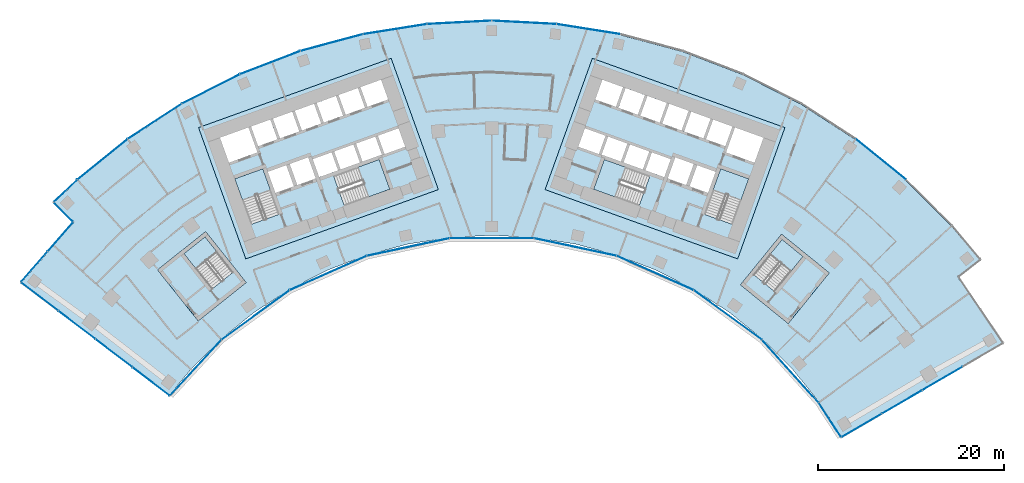
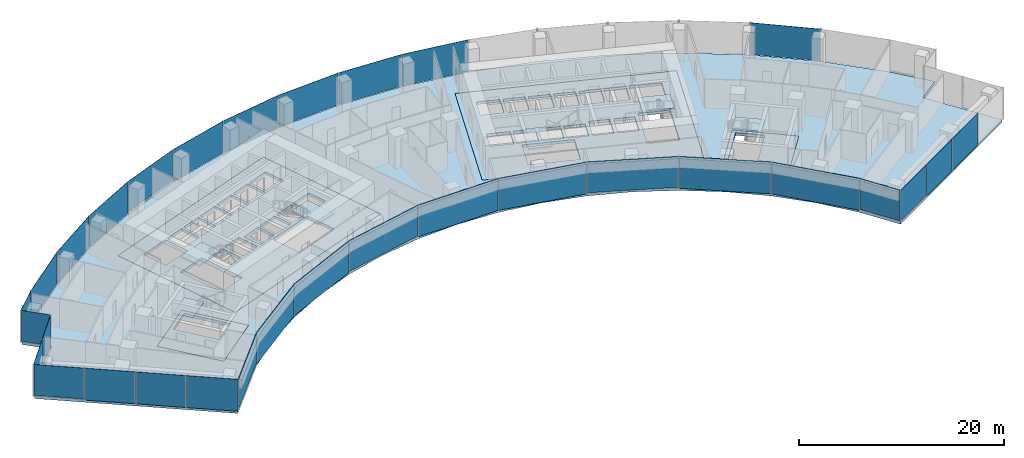
# One storey, part 12 of 21: 31 plates, 11 slabs, 12 elements without a shape of their own.
"""IFC4 building model written with IfcOpenShell, lengths in metres."""

from ifc_helpers import new_model, si_unit, direction, frame, origin, origin_2d, place, context, subcontext, project, spatial, polyline, rectangle, outline, extrude, material, layer, layer_set, type_object, element, aggregate, save


model = new_model("IFC4")

# Units and contexts
model_context = context("Model", 3, precision=1e-05, world=origin(), true_north=direction((0.0, 1.0)))
body_context = subcontext(model_context, "Body", "Model", "MODEL_VIEW")
ifc_project = project(units=[si_unit("LENGTHUNIT", "METRE"), si_unit("AREAUNIT", "SQUARE_METRE"), si_unit("VOLUMEUNIT", "CUBIC_METRE"), si_unit("PLANEANGLEUNIT", "RADIAN"), si_unit("MASSUNIT", "GRAM", prefix="KILO")], contexts=[model_context])

# Site, building, storey
site_placement = place(None, origin())
site = spatial("IfcSite", under=ifc_project, at=site_placement, CompositionType="ELEMENT")
building_placement = place(site_placement, origin())
building = spatial("IfcBuilding", under=site, at=building_placement, Name="Stone Belt Terrace Tower", CompositionType="ELEMENT")
storey_placement = place(building_placement, frame((0.0, 0.0, 94.60009765625)))
storey = spatial("IfcBuildingStorey", under=building, at=storey_placement, Name="L22", CompositionType="ELEMENT", Elevation=94.60009765625)

# Curtain wall, plates
ifc_material_1 = material(Name="Aluminium 6063-T6 anodised frame", Category="aluminium")
ifc_layer_1 = layer(ifc_material_1, 0.14990234375)
ifc_layer_set_1 = layer_set([ifc_layer_1], Name="CW-A unitised convex-face curtain wall")
curtain_wall_type_1 = type_object("IfcCurtainWallType", Name="CW-A unitised convex-face curtain wall", PredefinedType="NOTDEFINED", material=ifc_layer_set_1)
curtain_wall_1_placement = place(storey_placement, origin())
curtain_wall_1 = element("IfcCurtainWall", 1, at=curtain_wall_1_placement, inside=storey, type_object=curtain_wall_type_1, Name="CW-A convex face L22", PredefinedType="NOTDEFINED")
ifc_material_2 = material(Name="Clear double glazed unit")
ifc_layer_2 = layer(ifc_material_2, 0.031982421875)
ifc_layer_set_2 = layer_set([ifc_layer_2], Name="CW-A glass panel 32")
plate_type_1 = type_object("IfcPlateType", Name="CW-A glass panel 32", PredefinedType="CURTAIN_PANEL", material=ifc_layer_set_2)
plate_1_placement = place(storey_placement, frame((41.839599609375, 51.667724609375, 0.0), z_axis=(0.0, 0.0, 1.0), x_axis=(-0.777145961457, 0.62932039105, 0.0)))
plate_1 = element("IfcPlate", 2, at=plate_1_placement, type_object=plate_type_1, Name="CW-A panel 3.1", PredefinedType="CURTAIN_PANEL", context=body_context, shape_type="SweptSolid", body=[
    extrude(rectangle(XDim=6.90087890625, YDim=0.031982421875, at=origin_2d()), origin(), (0.0, 0.0, 1.0), 3.800048828125),
])
plate_2_placement = place(storey_placement, frame((10.400390625, 65.665283203125, 0.0), z_axis=(0.0, 0.0, 1.0), x_axis=(-0.987688340595, 0.15643446504, 0.0)))
plate_2 = element("IfcPlate", 3, at=plate_2_placement, type_object=plate_type_1, Name="CW-A panel 8.1", PredefinedType="CURTAIN_PANEL", context=body_context, shape_type="SweptSolid", body=[
    extrude(rectangle(XDim=6.90087890625, YDim=0.031982421875, at=origin_2d()), origin(), (0.0, 0.0, 1.0), 3.800048828125),
])
plate_3_placement = place(storey_placement, frame((3.4794921875, 66.392822265625, 0.0), z_axis=(0.0, 0.0, 1.0), x_axis=(-0.998629534755, 0.052335956243, 0.0)))
plate_3 = element("IfcPlate", 4, at=plate_3_placement, type_object=plate_type_1, Name="CW-A panel 9.1", PredefinedType="CURTAIN_PANEL", context=body_context, shape_type="SweptSolid", body=[
    extrude(rectangle(XDim=6.90087890625, YDim=0.031982421875, at=origin_2d()), origin(), (0.0, 0.0, 1.0), 3.800048828125),
])
plate_4_placement = place(storey_placement, frame((-3.4794921875, 66.392822265625, 0.0), z_axis=(0.0, 0.0, 1.0), x_axis=(-0.998629534755, -0.052335956243, 0.0)))
plate_4 = element("IfcPlate", 5, at=plate_4_placement, type_object=plate_type_1, Name="CW-A panel 10.1", PredefinedType="CURTAIN_PANEL", context=body_context, shape_type="SweptSolid", body=[
    extrude(rectangle(XDim=6.90087890625, YDim=0.031982421875, at=origin_2d()), origin(), (0.0, 0.0, 1.0), 3.800048828125),
])
plate_5_placement = place(storey_placement, frame((-10.400390625, 65.665283203125, 0.0), z_axis=(0.0, 0.0, 1.0), x_axis=(-0.987688340595, -0.15643446504, 0.0)))
plate_5 = element("IfcPlate", 6, at=plate_5_placement, type_object=plate_type_1, Name="CW-A panel 11.1", PredefinedType="CURTAIN_PANEL", context=body_context, shape_type="SweptSolid", body=[
    extrude(rectangle(XDim=6.90087890625, YDim=0.031982421875, at=origin_2d()), origin(), (0.0, 0.0, 1.0), 3.800048828125),
])
plate_6_placement = place(storey_placement, frame((-17.207275390625, 64.218505859375, 0.0), z_axis=(0.0, 0.0, 1.0), x_axis=(-0.965925826289, -0.258819045103, 0.0)))
plate_6 = element("IfcPlate", 7, at=plate_6_placement, type_object=plate_type_1, Name="CW-A panel 12.1", PredefinedType="CURTAIN_PANEL", context=body_context, shape_type="SweptSolid", body=[
    extrude(rectangle(XDim=6.90087890625, YDim=0.031982421875, at=origin_2d()), origin(), (0.0, 0.0, 1.0), 3.800048828125),
])
plate_7_placement = place(storey_placement, frame((-23.82568359375, 62.068115234375, 0.14013671875), z_axis=(0.0, 0.0, 1.0), x_axis=(-0.933580426497, -0.358367949545, 0.0)))
plate_7 = element("IfcPlate", 8, at=plate_7_placement, type_object=plate_type_1, Name="CW-A panel 13.1", PredefinedType="CURTAIN_PANEL", context=body_context, shape_type="SweptSolid", body=[
    extrude(rectangle(XDim=6.90087890625, YDim=0.031982421875, at=origin_2d()), origin(), (0.0, 0.0, 1.0), 3.659912109375),
])
plate_8_placement = place(storey_placement, frame((-30.18310546875, 59.237548828125, 0.0), z_axis=(0.0, 0.0, 1.0), x_axis=(-0.891006524188, -0.45399049974, 0.0)))
plate_8 = element("IfcPlate", 9, at=plate_8_placement, type_object=plate_type_1, Name="CW-A panel 14.1", PredefinedType="CURTAIN_PANEL", context=body_context, shape_type="SweptSolid", body=[
    extrude(rectangle(XDim=6.90087890625, YDim=0.031982421875, at=origin_2d()), origin(), (0.0, 0.0, 1.0), 3.800048828125),
])
plate_9_placement = place(storey_placement, frame((-36.209716796875, 55.758056640625, 0.0), z_axis=(0.0, 0.0, 1.0), x_axis=(-0.838670567945, -0.544639035015, 0.0)))
plate_9 = element("IfcPlate", 10, at=plate_9_placement, type_object=plate_type_1, Name="CW-A panel 15.1", PredefinedType="CURTAIN_PANEL", context=body_context, shape_type="SweptSolid", body=[
    extrude(rectangle(XDim=6.90087890625, YDim=0.031982421875, at=origin_2d()), origin(), (0.0, 0.0, 1.0), 3.800048828125),
])
plate_10_placement = place(storey_placement, frame((-41.839599609375, 51.667724609375, 0.0), z_axis=(0.0, 0.0, 1.0), x_axis=(-0.777145961457, -0.62932039105, 0.0)))
plate_10 = element("IfcPlate", 11, at=plate_10_placement, type_object=plate_type_1, Name="CW-A panel 16.1", PredefinedType="CURTAIN_PANEL", context=body_context, shape_type="SweptSolid", body=[
    extrude(rectangle(XDim=6.900634765625, YDim=0.031982421875, at=origin_2d()), origin(), (0.0, 0.0, 1.0), 3.800048828125),
])
plate_11_placement = place(storey_placement, frame((-45.805908203125, 48.281494140625, 0.0), z_axis=(0.0, 0.0, 1.0), x_axis=(-0.725627811581, -0.688087406556, 0.0)))
plate_11 = element("IfcPlate", 12, at=plate_11_placement, type_object=plate_type_1, Name="CW-A panel 17.1", PredefinedType="CURTAIN_PANEL", context=body_context, shape_type="SweptSolid", body=[
    extrude(rectangle(XDim=3.405029296875, YDim=0.031982421875, at=origin_2d()), origin(), (0.0, 0.0, 1.0), 3.800048828125),
])
aggregate(curtain_wall_1, [plate_1, plate_2, plate_3, plate_4, plate_5, plate_6, plate_7, plate_8, plate_9, plate_10, plate_11])

ifc_layer_3 = layer(ifc_material_1, 0.14990234375)
ifc_layer_set_3 = layer_set([ifc_layer_3], Name="CW-B unitised concave-face curtain wall")
curtain_wall_type_2 = type_object("IfcCurtainWallType", Name="CW-B unitised concave-face curtain wall", PredefinedType="NOTDEFINED", material=ifc_layer_set_3)
curtain_wall_2_placement = place(storey_placement, origin())
curtain_wall_2 = element("IfcCurtainWall", 13, at=curtain_wall_2_placement, inside=storey, type_object=curtain_wall_type_2, Name="CW-B concave face L22", PredefinedType="NOTDEFINED")
ifc_layer_4 = layer(ifc_material_2, 0.030029296875)
ifc_layer_set_4 = layer_set([ifc_layer_4], Name="CW-B glass panel 30")
plate_type_2 = type_object("IfcPlateType", Name="CW-B glass panel 30", PredefinedType="CURTAIN_PANEL", material=ifc_layer_set_4)
plate_12_placement = place(storey_placement, frame((-31.81591796875, 29.27490234375, 0.1201171875), z_axis=(0.0, 0.0, 1.0), x_axis=(0.677440300006, 0.735577759266, 0.0)))
plate_12 = element("IfcPlate", 14, at=plate_12_placement, type_object=plate_type_2, Name="CW-B panel 1.1", PredefinedType="CURTAIN_PANEL", context=body_context, shape_type="SweptSolid", body=[
    extrude(rectangle(XDim=8.08056640625, YDim=0.030029296875, at=origin_2d()), origin(), (0.0, 0.0, 1.0), 3.679931640625),
])
plate_13_placement = place(storey_placement, frame((-25.384765625, 34.9384765625, 0.0), z_axis=(0.0, 0.0, 1.0), x_axis=(0.809016994375, 0.587785252292, 0.0)))
plate_13 = element("IfcPlate", 15, at=plate_13_placement, type_object=plate_type_2, Name="CW-B panel 2.1", PredefinedType="CURTAIN_PANEL", context=body_context, shape_type="SweptSolid", body=[
    extrude(rectangle(XDim=9.013671875, YDim=0.030029296875, at=origin_2d()), origin(), (0.0, 0.0, 1.0), 3.800048828125),
])
plate_14_placement = place(storey_placement, frame((-17.565673828125, 39.453125, 0.0), z_axis=(0.0, 0.0, 1.0), x_axis=(0.913545457643, 0.406736643076, 0.0)))
plate_14 = element("IfcPlate", 16, at=plate_14_placement, type_object=plate_type_2, Name="CW-B panel 3.1", PredefinedType="CURTAIN_PANEL", context=body_context, shape_type="SweptSolid", body=[
    extrude(rectangle(XDim=9.0126953125, YDim=0.030029296875, at=origin_2d()), origin(), (0.0, 0.0, 1.0), 3.800048828125),
])
plate_15_placement = place(storey_placement, frame((-8.97900390625, 42.242919921875, 0.1201171875), z_axis=(0.0, 0.0, 1.0), x_axis=(0.978147600734, 0.207911690818, 0.0)))
plate_15 = element("IfcPlate", 17, at=plate_15_placement, type_object=plate_type_2, Name="CW-B panel 4.1", PredefinedType="CURTAIN_PANEL", context=body_context, shape_type="SweptSolid", body=[
    extrude(rectangle(XDim=9.0126953125, YDim=0.030029296875, at=origin_2d()), origin(), (0.0, 0.0, 1.0), 3.679931640625),
])
plate_16_placement = place(storey_placement, frame((0.0, 43.186767578125, 0.0), z_axis=(0.0, 0.0, 1.0), x_axis=(1.0, 0.0, 0.0)))
plate_16 = element("IfcPlate", 18, at=plate_16_placement, type_object=plate_type_2, Name="CW-B panel 5.1", PredefinedType="CURTAIN_PANEL", context=body_context, shape_type="SweptSolid", body=[
    extrude(rectangle(XDim=9.0126953125, YDim=0.030029296875, at=origin_2d()), origin(), (0.0, 0.0, 1.0), 3.800048828125),
])
plate_17_placement = place(storey_placement, frame((8.97900390625, 42.242919921875, 0.0), z_axis=(0.0, 0.0, 1.0), x_axis=(0.978147600734, -0.207911690818, 0.0)))
plate_17 = element("IfcPlate", 19, at=plate_17_placement, type_object=plate_type_2, Name="CW-B panel 6.1", PredefinedType="CURTAIN_PANEL", context=body_context, shape_type="SweptSolid", body=[
    extrude(rectangle(XDim=9.0126953125, YDim=0.030029296875, at=origin_2d()), origin(), (0.0, 0.0, 1.0), 3.800048828125),
])
plate_18_placement = place(storey_placement, frame((17.565673828125, 39.453125, 0.1201171875), z_axis=(0.0, 0.0, 1.0), x_axis=(0.913545457643, -0.406736643076, 0.0)))
plate_18 = element("IfcPlate", 20, at=plate_18_placement, type_object=plate_type_2, Name="CW-B panel 7.1", PredefinedType="CURTAIN_PANEL", context=body_context, shape_type="SweptSolid", body=[
    extrude(rectangle(XDim=9.0126953125, YDim=0.030029296875, at=origin_2d()), origin(), (0.0, 0.0, 1.0), 3.679931640625),
])
plate_19_placement = place(storey_placement, frame((25.384521484375, 34.938720703125, 0.0), z_axis=(0.0, 0.0, 1.0), x_axis=(0.809016994375, -0.587785252292, 0.0)))
plate_19 = element("IfcPlate", 21, at=plate_19_placement, type_object=plate_type_2, Name="CW-B panel 8.1", PredefinedType="CURTAIN_PANEL", context=body_context, shape_type="SweptSolid", body=[
    extrude(rectangle(XDim=9.0126953125, YDim=0.030029296875, at=origin_2d()), origin(), (0.0, 0.0, 1.0), 3.800048828125),
])
plate_20_placement = place(storey_placement, frame((32.09521484375, 28.89599609375, 0.0), z_axis=(0.0, 0.0, 1.0), x_axis=(0.669130606359, -0.743144825477, 0.0)))
plate_20 = element("IfcPlate", 22, at=plate_20_placement, type_object=plate_type_2, Name="CW-B panel 9.1", PredefinedType="CURTAIN_PANEL", context=body_context, shape_type="SweptSolid", body=[
    extrude(rectangle(XDim=9.016845703125, YDim=0.030029296875, at=origin_2d()), origin(), (0.0, 0.0, 1.0), 3.800048828125),
])
plate_21_placement = place(storey_placement, frame((36.3408203125, 23.66943359375, 0.1201171875), z_axis=(0.0, 0.0, 1.0), x_axis=(0.546131502436, -0.837699458068, 0.0)))
plate_21 = element("IfcPlate", 23, at=plate_21_placement, type_object=plate_type_2, Name="CW-B panel 10.1", PredefinedType="CURTAIN_PANEL", context=body_context, shape_type="SweptSolid", body=[
    extrude(rectangle(XDim=4.363525390625, YDim=0.030029296875, at=origin_2d()), origin(), (0.0, 0.0, 1.0), 3.679931640625),
])
aggregate(curtain_wall_2, [plate_12, plate_13, plate_14, plate_15, plate_16, plate_17, plate_18, plate_19, plate_20, plate_21])

ifc_layer_5 = layer(ifc_material_1, 0.14990234375)
ifc_layer_set_5 = layer_set([ifc_layer_5], Name="CW-C stick curtain wall, horn ends and notches")
curtain_wall_type_3 = type_object("IfcCurtainWallType", Name="CW-C stick curtain wall, horn ends and notches", PredefinedType="NOTDEFINED", material=ifc_layer_set_5)
curtain_wall_3_placement = place(storey_placement, origin())
curtain_wall_3 = element("IfcCurtainWall", 24, at=curtain_wall_3_placement, inside=storey, type_object=curtain_wall_type_3, Name="CW-C end face L22", PredefinedType="NOTDEFINED")
ifc_layer_6 = layer(ifc_material_2, 0.028076171875)
ifc_layer_set_6 = layer_set([ifc_layer_6], Name="CW-C glass panel 28")
plate_type_3 = type_object("IfcPlateType", Name="CW-C glass panel 28", PredefinedType="CURTAIN_PANEL", material=ifc_layer_set_6)
plate_22_placement = place(storey_placement, frame((39.78076171875, 23.06982421875, 0.1201171875), z_axis=(0.0, 0.0, 1.0), x_axis=(0.864239322284, 0.503080901861, 0.0)))
plate_22 = element("IfcPlate", 25, at=plate_22_placement, type_object=plate_type_3, Name="CW-C panel 1.1", PredefinedType="CURTAIN_PANEL", context=body_context, shape_type="SweptSolid", body=[
    extrude(rectangle(XDim=4.9677734375, YDim=0.028076171875, at=origin_2d()), origin(), (0.0, 0.0, 1.0), 3.679931640625),
])
plate_23_placement = place(storey_placement, frame((44.114013671875, 25.59228515625, 0.0), z_axis=(0.0, 0.0, 1.0), x_axis=(0.864239322284, 0.503080901861, 0.0)))
plate_23 = element("IfcPlate", 26, at=plate_23_placement, type_object=plate_type_3, Name="CW-C panel 2.1", PredefinedType="CURTAIN_PANEL", context=body_context, shape_type="SweptSolid", body=[
    extrude(rectangle(XDim=4.93994140625, YDim=0.028076171875, at=origin_2d()), origin(), (0.0, 0.0, 1.0), 3.800048828125),
])
plate_24_placement = place(storey_placement, frame((48.43505859375, 28.107666015625, 0.0), z_axis=(0.0, 0.0, 1.0), x_axis=(0.864239322284, 0.503080901861, 0.0)))
plate_24 = element("IfcPlate", 27, at=plate_24_placement, type_object=plate_type_3, Name="CW-C panel 3.1", PredefinedType="CURTAIN_PANEL", context=body_context, shape_type="SweptSolid", body=[
    extrude(rectangle(XDim=4.93994140625, YDim=0.028076171875, at=origin_2d()), origin(), (0.0, 0.0, 1.0), 3.800048828125),
])
aggregate(curtain_wall_3, [plate_22, plate_23, plate_24])

# Curtain wall, plate
curtain_wall_4_placement = place(storey_placement, origin())
curtain_wall_4 = element("IfcCurtainWall", 28, at=curtain_wall_4_placement, inside=storey, type_object=curtain_wall_type_3, Name="CW-C notch face L22", PredefinedType="NOTDEFINED")
plate_25_placement = place(storey_placement, frame((-46.032470703125, 45.994384765625, 0.1201171875), z_axis=(0.0, 0.0, 1.0), x_axis=(0.70658579876, -0.707627380046, 0.0)))
plate_25 = element("IfcPlate", 29, at=plate_25_placement, type_object=plate_type_3, Name="CW-C panel 1.1", PredefinedType="CURTAIN_PANEL", context=body_context, shape_type="SweptSolid", body=[
    extrude(rectangle(XDim=2.859130859375, YDim=0.028076171875, at=origin_2d()), origin(), (0.0, 0.0, 1.0), 3.679931640625),
])
aggregate(curtain_wall_4, [plate_25])

# Curtain wall, plates
curtain_wall_5_placement = place(storey_placement, origin())
curtain_wall_5 = element("IfcCurtainWall", 30, at=curtain_wall_5_placement, inside=storey, type_object=curtain_wall_type_3, Name="CW-C notch face L22", PredefinedType="NOTDEFINED")
plate_26_placement = place(storey_placement, frame((-46.375, 43.324951171875, 0.1201171875), z_axis=(0.0, 0.0, 1.0), x_axis=(-0.658230250003, -0.752816669569, 0.0)))
plate_26 = element("IfcPlate", 31, at=plate_26_placement, type_object=plate_type_3, Name="CW-C panel 1.1", PredefinedType="CURTAIN_PANEL", context=body_context, shape_type="SweptSolid", body=[
    extrude(rectangle(XDim=4.12060546875, YDim=0.028076171875, at=origin_2d()), origin(), (0.0, 0.0, 1.0), 3.679931640625),
])
plate_27_placement = place(storey_placement, frame((-49.175537109375, 40.1220703125, 0.0), z_axis=(0.0, 0.0, 1.0), x_axis=(-0.658230250003, -0.752816669569, 0.0)))
plate_27 = element("IfcPlate", 32, at=plate_27_placement, type_object=plate_type_3, Name="CW-C panel 2.1", PredefinedType="CURTAIN_PANEL", context=body_context, shape_type="SweptSolid", body=[
    extrude(rectangle(XDim=4.268798828125, YDim=0.028076171875, at=origin_2d()), origin(), (0.0, 0.0, 1.0), 3.800048828125),
])
aggregate(curtain_wall_5, [plate_26, plate_27])

curtain_wall_6_placement = place(storey_placement, origin())
curtain_wall_6 = element("IfcCurtainWall", 33, at=curtain_wall_6_placement, inside=storey, type_object=curtain_wall_type_3, Name="CW-C end face L22", PredefinedType="NOTDEFINED")
plate_28_placement = place(storey_placement, frame((-48.591064453125, 36.906005859375, 0.1201171875), z_axis=(0.0, 0.0, 1.0), x_axis=(0.795601620036, -0.605820156644, 0.0)))
plate_28 = element("IfcPlate", 34, at=plate_28_placement, type_object=plate_type_3, Name="CW-C panel 1.1", PredefinedType="CURTAIN_PANEL", context=body_context, shape_type="SweptSolid", body=[
    extrude(rectangle(XDim=4.974853515625, YDim=0.028076171875, at=origin_2d()), origin(), (0.0, 0.0, 1.0), 3.679931640625),
])
plate_29_placement = place(storey_placement, frame((-44.59912109375, 33.8662109375, 0.0), z_axis=(0.0, 0.0, 1.0), x_axis=(0.795601620036, -0.605820156644, 0.0)))
plate_29 = element("IfcPlate", 35, at=plate_29_placement, type_object=plate_type_3, Name="CW-C panel 2.1", PredefinedType="CURTAIN_PANEL", context=body_context, shape_type="SweptSolid", body=[
    extrude(rectangle(XDim=4.93994140625, YDim=0.028076171875, at=origin_2d()), origin(), (0.0, 0.0, 1.0), 3.800048828125),
])
plate_30_placement = place(storey_placement, frame((-40.62109375, 30.837158203125, 0.0), z_axis=(0.0, 0.0, 1.0), x_axis=(0.795601620036, -0.605820156644, 0.0)))
plate_30 = element("IfcPlate", 36, at=plate_30_placement, type_object=plate_type_3, Name="CW-C panel 3.1", PredefinedType="CURTAIN_PANEL", context=body_context, shape_type="SweptSolid", body=[
    extrude(rectangle(XDim=4.93994140625, YDim=0.028076171875, at=origin_2d()), origin(), (0.0, 0.0, 1.0), 3.800048828125),
])
plate_31_placement = place(storey_placement, frame((-36.6328125, 27.80029296875, 0.0), z_axis=(0.0, 0.0, 1.0), x_axis=(0.795601620036, -0.605820156644, 0.0)))
plate_31 = element("IfcPlate", 37, at=plate_31_placement, type_object=plate_type_3, Name="CW-C panel 4.1", PredefinedType="CURTAIN_PANEL", context=body_context, shape_type="SweptSolid", body=[
    extrude(rectangle(XDim=4.965576171875, YDim=0.028076171875, at=origin_2d()), origin(), (0.0, 0.0, 1.0), 3.800048828125),
])
aggregate(curtain_wall_6, [plate_28, plate_29, plate_30, plate_31])

# Slabs
ifc_material_3 = material(Name="Concrete B40", Category="concrete")
ifc_layer_7 = layer(ifc_material_3, 0.320068359375)
ifc_layer_set_7 = layer_set([ifc_layer_7], Name="Core floor slab 320")
slab_type_1 = type_object("IfcSlabType", Name="Core floor slab 320", PredefinedType="FLOOR", material=ifc_layer_set_7)
slab_1_placement = place(storey_placement, frame((0.0, 0.0, -0.320068359375)))
element("IfcSlab", 38, at=slab_1_placement, inside=storey, type_object=slab_type_1, Name="Core A floor L22", PredefinedType="FLOOR", context=body_context, shape_type="SweptSolid", body=[
    extrude(outline(polyline([(-26.43505859375, 40.968994140625), (-5.735107421875, 48.4189453125), (-10.81396484375, 62.531982421875), (-31.513916015625, 55.0830078125), (-26.43505859375, 40.968994140625)]), holes=[polyline([(-24.60791015625, 50.659912109375), (-22.847900390625, 45.76806640625), (-25.85888671875, 44.68408203125), (-27.618896484375, 49.575927734375), (-24.60791015625, 50.659912109375)]), polyline([(-21.27392578125, 48.778076171875), (-23.25, 48.06689453125), (-24.06298828125, 50.324951171875), (-22.0869140625, 51.035888671875), (-21.27392578125, 48.778076171875)]), polyline([(-18.922119140625, 49.6240234375), (-20.89794921875, 48.9130859375), (-21.7109375, 51.1708984375), (-19.735107421875, 51.883056640625), (-18.922119140625, 49.6240234375)]), polyline([(-19.239990234375, 51.68896484375), (-17.217041015625, 52.4169921875), (-16.52294921875, 50.488037109375), (-18.5458984375, 49.760009765625), (-19.239990234375, 51.68896484375)]), polyline([(-29.2109375, 53.9990234375), (-26.153076171875, 55.09912109375), (-25.18798828125, 52.41796875), (-28.24609375, 51.31689453125), (-29.2109375, 53.9990234375)]), polyline([(-23.801025390625, 55.946044921875), (-23.0390625, 53.8291015625), (-25.10888671875, 53.083984375), (-25.87109375, 55.200927734375), (-23.801025390625, 55.946044921875)]), polyline([(-21.447998046875, 56.7919921875), (-20.68603515625, 54.675048828125), (-22.756103515625, 53.929931640625), (-23.51806640625, 56.047119140625), (-21.447998046875, 56.7919921875)]), polyline([(-19.095947265625, 57.638916015625), (-18.333984375, 55.52197265625), (-20.404052734375, 54.777099609375), (-21.166015625, 56.89404296875), (-19.095947265625, 57.638916015625)]), polyline([(-15.846923828125, 46.69189453125), (-16.998046875, 49.89208984375), (-12.10595703125, 51.652099609375), (-10.955078125, 48.452880859375), (-15.846923828125, 46.69189453125)]), polyline([(-16.239990234375, 50.589111328125), (-16.93408203125, 52.51806640625), (-14.864013671875, 53.262939453125), (-14.169921875, 51.333984375), (-16.239990234375, 50.589111328125)]), polyline([(-11.801025390625, 52.134033203125), (-11.847900390625, 52.116943359375), (-11.864990234375, 52.1640625), (-13.887939453125, 51.43603515625), (-14.58203125, 53.364990234375), (-12.511962890625, 54.110107421875), (-11.801025390625, 52.134033203125)]), polyline([(-9.30810546875, 53.031005859375), (-11.51904296875, 52.235107421875), (-12.22998046875, 54.2109375), (-10.01904296875, 55.007080078125), (-9.30810546875, 53.031005859375)]), polyline([(-16.743896484375, 58.485107421875), (-15.98193359375, 56.367919921875), (-18.052001953125, 55.623046875), (-18.81396484375, 57.739990234375), (-16.743896484375, 58.485107421875)]), polyline([(-14.39111328125, 59.33203125), (-13.6298828125, 57.215087890625), (-15.699951171875, 56.469970703125), (-16.4609375, 58.5869140625), (-14.39111328125, 59.33203125)]), polyline([(-11.89794921875, 60.22900390625), (-11.135986328125, 58.112060546875), (-13.346923828125, 57.31591796875), (-14.10888671875, 59.43408203125), (-11.89794921875, 60.22900390625)])]), origin(), (0.0, 0.0, 1.0), 0.320068359375),
])
slab_2_placement = place(storey_placement, frame((0.0, 0.0, -0.320068359375)))
element("IfcSlab", 39, at=slab_2_placement, inside=storey, type_object=slab_type_1, Name="Core B floor L22", PredefinedType="FLOOR", context=body_context, shape_type="SweptSolid", body=[
    extrude(outline(polyline([(26.43505859375, 40.968994140625), (31.513916015625, 55.0830078125), (10.81396484375, 62.531982421875), (5.735107421875, 48.4189453125), (26.43505859375, 40.968994140625)]), holes=[polyline([(12.10595703125, 51.652099609375), (16.998046875, 49.89208984375), (15.846923828125, 46.69189453125), (10.955078125, 48.452880859375), (12.10595703125, 51.652099609375)]), polyline([(19.239990234375, 51.68896484375), (18.5458984375, 49.760009765625), (16.52294921875, 50.488037109375), (17.217041015625, 52.4169921875), (19.239990234375, 51.68896484375)]), polyline([(16.239990234375, 50.589111328125), (14.169921875, 51.333984375), (14.864013671875, 53.262939453125), (16.93408203125, 52.51806640625), (16.239990234375, 50.589111328125)]), polyline([(14.58203125, 53.364990234375), (13.887939453125, 51.43603515625), (11.864990234375, 52.1640625), (11.847900390625, 52.116943359375), (11.801025390625, 52.134033203125), (12.511962890625, 54.110107421875), (14.58203125, 53.364990234375)]), polyline([(9.30810546875, 53.031005859375), (10.01904296875, 55.007080078125), (12.22998046875, 54.2109375), (11.51904296875, 52.235107421875), (9.30810546875, 53.031005859375)]), polyline([(16.743896484375, 58.485107421875), (18.81396484375, 57.739990234375), (18.052001953125, 55.623046875), (15.98193359375, 56.367919921875), (16.743896484375, 58.485107421875)]), polyline([(14.39111328125, 59.33203125), (16.4609375, 58.5869140625), (15.699951171875, 56.469970703125), (13.6298828125, 57.215087890625), (14.39111328125, 59.33203125)]), polyline([(11.89794921875, 60.22900390625), (14.10888671875, 59.43408203125), (13.346923828125, 57.31591796875), (11.135986328125, 58.112060546875), (11.89794921875, 60.22900390625)]), polyline([(25.85888671875, 44.68408203125), (22.847900390625, 45.76806640625), (24.60791015625, 50.659912109375), (27.618896484375, 49.575927734375), (25.85888671875, 44.68408203125)]), polyline([(21.27392578125, 48.778076171875), (22.0869140625, 51.035888671875), (24.06298828125, 50.324951171875), (23.25, 48.06689453125), (21.27392578125, 48.778076171875)]), polyline([(18.922119140625, 49.6240234375), (19.735107421875, 51.883056640625), (21.7109375, 51.1708984375), (20.89794921875, 48.9130859375), (18.922119140625, 49.6240234375)]), polyline([(29.2109375, 53.9990234375), (28.24609375, 51.31689453125), (25.18798828125, 52.41796875), (26.153076171875, 55.09912109375), (29.2109375, 53.9990234375)]), polyline([(23.801025390625, 55.946044921875), (25.87109375, 55.200927734375), (25.10888671875, 53.083984375), (23.0390625, 53.8291015625), (23.801025390625, 55.946044921875)]), polyline([(21.447998046875, 56.7919921875), (23.51806640625, 56.047119140625), (22.756103515625, 53.929931640625), (20.68603515625, 54.675048828125), (21.447998046875, 56.7919921875)]), polyline([(19.095947265625, 57.638916015625), (21.166015625, 56.89404296875), (20.404052734375, 54.777099609375), (18.333984375, 55.52197265625), (19.095947265625, 57.638916015625)])]), origin(), (0.0, 0.0, 1.0), 0.320068359375),
])
slab_3_placement = place(storey_placement, frame((0.0, 0.0, -0.320068359375)))
element("IfcSlab", 40, at=slab_3_placement, inside=storey, type_object=slab_type_1, Name="Exit stair ST3A floor L22", PredefinedType="FLOOR", context=body_context, shape_type="SweptSolid", body=[
    extrude(outline(polyline([(-26.39404296875, 38.425048828125), (-30.756103515625, 43.89990234375), (-35.91796875, 39.787109375), (-31.555908203125, 34.31298828125), (-26.39404296875, 38.425048828125)]), holes=[polyline([(-27.798095703125, 39.544921875), (-30.06591796875, 37.738037109375), (-33.087890625, 41.531005859375), (-30.820068359375, 43.337890625), (-27.798095703125, 39.544921875)])]), origin(), (0.0, 0.0, 1.0), 0.320068359375),
])
slab_4_placement = place(storey_placement, frame((0.0, 0.0, -0.320068359375)))
element("IfcSlab", 41, at=slab_4_placement, inside=storey, type_object=slab_type_1, Name="Exit stair ST3B floor L22", PredefinedType="FLOOR", context=body_context, shape_type="SweptSolid", body=[
    extrude(outline(polyline([(26.741943359375, 38.18408203125), (31.866943359375, 34.02392578125), (36.278076171875, 39.458984375), (31.154052734375, 43.618896484375), (26.741943359375, 38.18408203125)]), holes=[polyline([(30.407958984375, 37.462890625), (28.156005859375, 39.291015625), (31.2119140625, 43.055908203125), (33.464111328125, 41.22802734375), (30.407958984375, 37.462890625)])]), origin(), (0.0, 0.0, 1.0), 0.320068359375),
])
ifc_layer_8 = layer(ifc_material_3, 0.320068359375)
ifc_layer_set_8 = layer_set([ifc_layer_8], Name="Floor slab 320 B40")
slab_type_2 = type_object("IfcSlabType", Name="Floor slab 320 B40", PredefinedType="FLOOR", material=ifc_layer_set_8)
slab_5_placement = place(storey_placement, frame((0.0, 0.0, -0.320068359375)))
element("IfcSlab", 42, at=slab_5_placement, inside=storey, type_object=slab_type_2, Name="Floor slab L22", PredefinedType="FLOOR", context=body_context, shape_type="SweptSolid", body=[
    extrude(outline(polyline([(-44.497314453125, 49.419189453125), (-39.087646484375, 53.799560546875), (-33.25, 57.5908203125), (-27.048095703125, 60.750732421875), (-20.549560546875, 63.245361328125), (-13.826171875, 65.046875), (-6.951171875, 66.1357421875), (0.0, 66.5), (6.951171875, 66.1357421875), (13.826171875, 65.046875), (20.549560546875, 63.245361328125), (27.048095703125, 60.750732421875), (33.25, 57.5908203125), (39.087646484375, 53.799560546875), (44.497314453125, 49.419189453125), (49.419189453125, 44.497314453125), (52.4326171875, 40.9033203125), (50.067138671875, 39.05810546875), (54.879150390625, 31.945556640625), (37.594482421875, 21.884033203125), (35.192138671875, 25.568603515625), (32.326904296875, 29.107177734375), (29.107177734375, 32.326904296875), (25.568603515625, 35.192138671875), (21.75, 37.672119140625), (17.693115234375, 39.7392578125), (13.442138671875, 41.37109375), (9.044189453125, 42.54931640625), (4.547119140625, 43.26171875), (0.0, 43.5), (-4.547119140625, 43.26171875), (-9.044189453125, 42.54931640625), (-13.442138671875, 41.37109375), (-17.693115234375, 39.7392578125), (-21.75, 37.672119140625), (-25.568603515625, 35.192138671875), (-29.107177734375, 32.326904296875), (-32.326904296875, 29.107177734375), (-34.608642578125, 26.353271484375), (-50.520751953125, 38.469482421875), (-44.8681640625, 44.934326171875), (-46.988037109375, 47.05712890625), (-44.497314453125, 49.419189453125)]), holes=[polyline([(-26.434814453125, 40.968994140625), (-5.734619140625, 48.418701171875), (-10.81396484375, 62.532470703125), (-31.51416015625, 55.082763671875), (-26.434814453125, 40.968994140625)]), polyline([(10.81396484375, 62.532470703125), (5.734619140625, 48.418701171875), (26.434814453125, 40.968994140625), (31.51416015625, 55.082763671875), (10.81396484375, 62.532470703125)]), polyline([(-35.91796875, 39.787353515625), (-31.55615234375, 34.3125), (-26.39404296875, 38.425048828125), (-30.756103515625, 43.89990234375), (-35.91796875, 39.787353515625)]), polyline([(36.2783203125, 39.459228515625), (31.15380859375, 43.61865234375), (26.742431640625, 38.18359375), (31.86669921875, 34.024169921875), (36.2783203125, 39.459228515625)])]), origin(), (0.0, 0.0, 1.0), 0.320068359375),
])

# Stair, slab
stair_type = type_object("IfcStairType", Name="Exit stair 1500", PredefinedType="HALF_TURN_STAIR", material=ifc_material_3)
stair_1_placement = place(storey_placement, origin())
stair_1 = element("IfcStair", 43, at=stair_1_placement, inside=storey, type_object=stair_type, Name="L22 Exit stair 1 core A", PredefinedType="HALF_TURN_STAIR")
ifc_layer_9 = layer(ifc_material_3, 0.199951171875)
ifc_layer_set_9 = layer_set([ifc_layer_9], Name="Stair landing 200")
slab_type_3 = type_object("IfcSlabType", Name="Stair landing 200", PredefinedType="LANDING", material=ifc_layer_set_9)
slab_6_placement = place(storey_placement, frame((0.0, 0.0, 1.699951171875)))
slab_6 = element("IfcSlab", 44, at=slab_6_placement, type_object=slab_type_3, Name="ST1A landing 1", PredefinedType="LANDING", context=body_context, shape_type="SweptSolid", body=[
    extrude(outline(polyline([(-23.79541015625, 48.40087890625), (-24.6083984375, 50.659912109375), (-27.619384765625, 49.576171875), (-26.806396484375, 47.3173828125), (-23.79541015625, 48.40087890625)])), origin(), (0.0, 0.0, 1.0), 0.199951171875),
])
aggregate(stair_1, [slab_6])

stair_2_placement = place(storey_placement, origin())
stair_2 = element("IfcStair", 45, at=stair_2_placement, inside=storey, type_object=stair_type, Name="L22 Exit stair 2 core A", PredefinedType="HALF_TURN_STAIR")
slab_7_placement = place(storey_placement, frame((0.0, 0.0, 1.699951171875)))
slab_7 = element("IfcSlab", 46, at=slab_7_placement, type_object=slab_type_3, Name="ST2A landing 1", PredefinedType="LANDING", context=body_context, shape_type="SweptSolid", body=[
    extrude(outline(polyline([(-13.213623046875, 47.64013671875), (-10.95458984375, 48.453125), (-12.10595703125, 51.652099609375), (-14.36474609375, 50.839111328125), (-13.213623046875, 47.64013671875)])), origin(), (0.0, 0.0, 1.0), 0.199951171875),
])
aggregate(stair_2, [slab_7])

stair_3_placement = place(storey_placement, origin())
stair_3 = element("IfcStair", 47, at=stair_3_placement, inside=storey, type_object=stair_type, Name="L22 Exit stair 1 core B", PredefinedType="HALF_TURN_STAIR")
slab_8_placement = place(storey_placement, frame((0.0, 0.0, 1.699951171875)))
slab_8 = element("IfcSlab", 48, at=slab_8_placement, type_object=slab_type_3, Name="ST1B landing 1", PredefinedType="LANDING", context=body_context, shape_type="SweptSolid", body=[
    extrude(outline(polyline([(26.806396484375, 47.3173828125), (27.619384765625, 49.576171875), (24.6083984375, 50.659912109375), (23.79541015625, 48.40087890625), (26.806396484375, 47.3173828125)])), origin(), (0.0, 0.0, 1.0), 0.199951171875),
])
aggregate(stair_3, [slab_8])

stair_4_placement = place(storey_placement, origin())
stair_4 = element("IfcStair", 49, at=stair_4_placement, inside=storey, type_object=stair_type, Name="L22 Exit stair 2 core B", PredefinedType="HALF_TURN_STAIR")
slab_9_placement = place(storey_placement, frame((0.0, 0.0, 1.699951171875)))
slab_9 = element("IfcSlab", 50, at=slab_9_placement, type_object=slab_type_3, Name="ST2B landing 1", PredefinedType="LANDING", context=body_context, shape_type="SweptSolid", body=[
    extrude(outline(polyline([(14.36474609375, 50.839111328125), (12.10595703125, 51.652099609375), (10.95458984375, 48.453125), (13.213623046875, 47.64013671875), (14.36474609375, 50.839111328125)])), origin(), (0.0, 0.0, 1.0), 0.199951171875),
])
aggregate(stair_4, [slab_9])

stair_5_placement = place(storey_placement, origin())
stair_5 = element("IfcStair", 51, at=stair_5_placement, inside=storey, type_object=stair_type, Name="L22 Exit stair 3A", PredefinedType="HALF_TURN_STAIR")
slab_10_placement = place(storey_placement, frame((0.0, 0.0, 1.699951171875)))
slab_10 = element("IfcSlab", 52, at=slab_10_placement, type_object=slab_type_3, Name="ST3A landing 1", PredefinedType="LANDING", context=body_context, shape_type="SweptSolid", body=[
    extrude(outline(polyline([(-29.541748046875, 41.73388671875), (-30.819580078125, 43.337890625), (-33.087646484375, 41.53076171875), (-31.809814453125, 39.9267578125), (-29.541748046875, 41.73388671875)])), origin(), (0.0, 0.0, 1.0), 0.199951171875),
])
aggregate(stair_5, [slab_10])

stair_6_placement = place(storey_placement, origin())
stair_6 = element("IfcStair", 53, at=stair_6_placement, inside=storey, type_object=stair_type, Name="L22 Exit stair 3B", PredefinedType="HALF_TURN_STAIR")
slab_11_placement = place(storey_placement, frame((0.0, 0.0, 1.699951171875)))
slab_11 = element("IfcSlab", 54, at=slab_11_placement, type_object=slab_type_3, Name="ST3B landing 1", PredefinedType="LANDING", context=body_context, shape_type="SweptSolid", body=[
    extrude(outline(polyline([(32.17138671875, 39.635986328125), (33.4638671875, 41.228271484375), (31.21240234375, 43.055908203125), (29.919921875, 41.463623046875), (32.17138671875, 39.635986328125)])), origin(), (0.0, 0.0, 1.0), 0.199951171875),
])
aggregate(stair_6, [slab_11])

save(model, "model.ifc")
